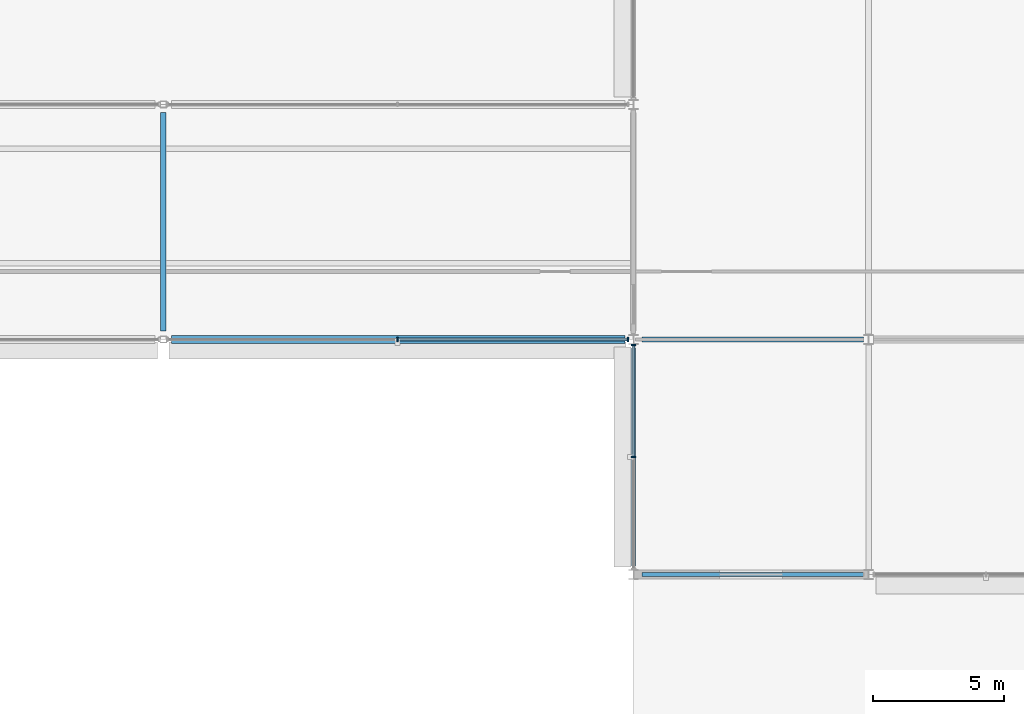
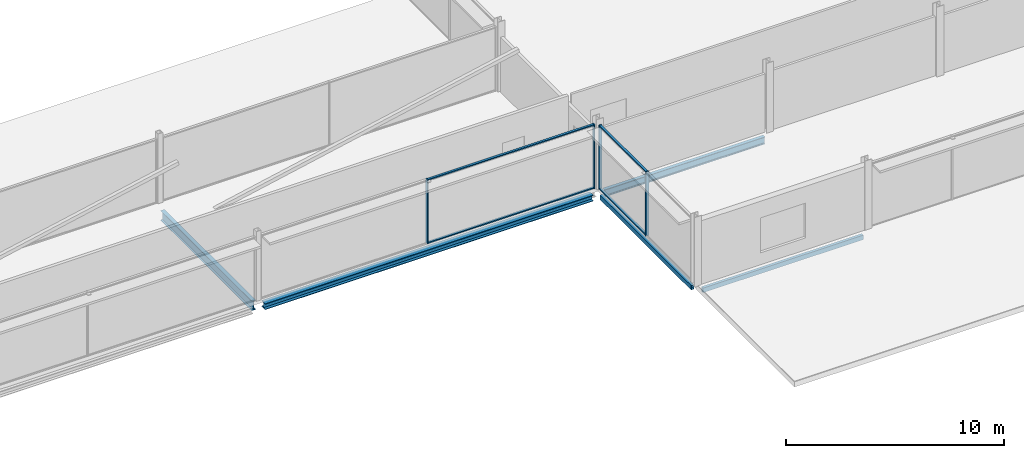
# One storey, part 43 of 105: 8 members, 5 beams, 2 elements without a shape of their own.
"""IFC4 building model written with IfcOpenShell, lengths in metres."""

from ifc_helpers import new_model, si_unit, direction, frame, origin, origin_2d, place, context, subcontext, project, spatial, rectangle, hollow_rectangle, i_section, extrude, material, layer, layer_set, material_profile, profile_set, type_object, element, aggregate, save


model = new_model("IFC4")

# Units and contexts
model_context = context("Model", 3, precision=1e-05, world=origin(), true_north=direction((0.0, 1.0)))
body_context = subcontext(model_context, "Body", "Model", "MODEL_VIEW")
ifc_project = project(units=[si_unit("LENGTHUNIT", "METRE"), si_unit("AREAUNIT", "SQUARE_METRE"), si_unit("VOLUMEUNIT", "CUBIC_METRE"), si_unit("PLANEANGLEUNIT", "RADIAN"), si_unit("MASSUNIT", "GRAM", prefix="KILO")], contexts=[model_context])

# Site, building, storey
site_placement = place(None, origin())
site = spatial("IfcSite", under=ifc_project, at=site_placement, CompositionType="ELEMENT")
building_placement = place(site_placement, origin())
building = spatial("IfcBuilding", under=site, at=building_placement, Name="Kisiwana Market Hall", CompositionType="ELEMENT")
storey_placement = place(building_placement, frame((0.0, 0.0, 21.60009765625)))
storey = spatial("IfcBuildingStorey", under=building, at=storey_placement, Name="L04", CompositionType="ELEMENT", Elevation=21.60009765625)

# Beams
ifc_material_1 = material(Name="Steel S355", Category="steel")
ifc_material_profile_1 = material_profile(ifc_material_1, i_section(OverallWidth=0.179931640625, OverallDepth=0.39990234375, WebThickness=0.008544921875, FlangeThickness=0.013427734375, FilletRadius=0.02099609375, at=origin_2d()), Name="IPE 400")
ifc_profile_set_1 = profile_set([ifc_material_profile_1], Name="Steel S355")
beam_type_1 = type_object("IfcBeamType", Name="BM-GIRD-IPE400", PredefinedType="BEAM", material=ifc_profile_set_1)
beam_1_placement = place(storey_placement, frame((153.321044921875, 18.0, -0.445068359375), z_axis=(1.0, 0.0, 0.0), x_axis=(0.0, 1.0, 0.0)))
element("IfcBeam", 1, at=beam_1_placement, inside=storey, type_object=beam_type_1, Name="Floor beam B-1433", PredefinedType="BEAM", context=body_context, shape_type="SweptSolid", body=[
    extrude(i_section(OverallWidth=0.179931640625, OverallDepth=0.39990234375, WebThickness=0.008544921875, FlangeThickness=0.013427734375, FilletRadius=0.02099609375, at=origin_2d()), origin(), (0.0, 0.0, 1.0), 8.47998046875),
])
ifc_material_2 = material(Name="Steel S355", Category="steel")
ifc_material_profile_2 = material_profile(ifc_material_2, i_section(OverallWidth=0.209228515625, OverallDepth=0.533203125, WebThickness=0.010009765625, FlangeThickness=0.015625, at=origin_2d()), Name="UB 533x210x92")
ifc_profile_set_2 = profile_set([ifc_material_profile_2], Name="Steel S355")
beam_type_2 = type_object("IfcBeamType", Name="BM-GIRD-UB533", PredefinedType="BEAM", material=ifc_profile_set_2)
beam_2_placement = place(storey_placement, frame((135.0, 18.321044921875, -0.53173828125), z_axis=(0.0, 1.0, 0.0), x_axis=(-1.0, 0.0, 0.0)))
element("IfcBeam", 2, at=beam_2_placement, inside=storey, type_object=beam_type_2, Name="Primary girder B-1367", PredefinedType="BEAM", context=body_context, shape_type="SweptSolid", body=[
    extrude(i_section(OverallWidth=0.209228515625, OverallDepth=0.533203125, WebThickness=0.010009765625, FlangeThickness=0.015625, at=origin_2d()), origin(), (0.0, 0.0, 1.0), 8.35791015625),
])
ifc_material_3 = material(Name="Steel S355", Category="steel")
ifc_material_profile_3 = material_profile(ifc_material_3, i_section(OverallWidth=0.314453125, OverallDepth=0.33984375, WebThickness=0.01904296875, FlangeThickness=0.031494140625, at=origin_2d()), Name="UC 305x305x198")
ifc_profile_set_3 = profile_set([ifc_material_profile_3], Name="Steel S355")
beam_type_3 = type_object("IfcBeamType", Name="BM-SKYBR-CHORD", PredefinedType="BEAM", material=ifc_profile_set_3)
beam_3_placement = place(storey_placement, frame((135.321044921875, 18.0, -0.43505859375), z_axis=(1.0, 0.0, 0.0), x_axis=(0.0, 1.0, 0.0)))
element("IfcBeam", 3, at=beam_3_placement, inside=storey, type_object=beam_type_3, Name="Floor beam B-1432", PredefinedType="BEAM", context=body_context, shape_type="SweptSolid", body=[
    extrude(i_section(OverallWidth=0.314453125, OverallDepth=0.33984375, WebThickness=0.01904296875, FlangeThickness=0.031494140625, at=origin_2d()), origin(), (0.0, 0.0, 1.0), 17.35791015625),
])
ifc_material_4 = material(Name="Steel S355", Category="steel")
ifc_material_profile_4 = material_profile(ifc_material_4, hollow_rectangle(XDim=0.14990234375, YDim=0.25, WallThickness=0.010009765625, at=origin_2d()), Name="RHS 250x150x10.0")
ifc_profile_set_4 = profile_set([ifc_material_profile_4], Name="Steel S355")
beam_type_4 = type_object("IfcBeamType", Name="BM-SPAN-RHS250", PredefinedType="SPANDREL", material=ifc_profile_set_4)
beam_4_placement = place(storey_placement, frame((153.321044921875, 9.0, -0.4169921875), z_axis=(1.0, 0.0, 0.0), x_axis=(0.0, 1.0, 0.0)))
element("IfcBeam", 4, at=beam_4_placement, inside=storey, type_object=beam_type_4, Name="Floor beam B-1419", PredefinedType="SPANDREL", context=body_context, shape_type="SweptSolid", body=[
    extrude(hollow_rectangle(XDim=0.14990234375, YDim=0.25, WallThickness=0.010009765625, at=origin_2d()), origin(), (0.0, 0.0, 1.0), 8.4833984375),
])
beam_5_placement = place(storey_placement, frame((153.0, 9.321044921875, -0.3701171875), z_axis=(0.0, 1.0, 0.0), x_axis=(-1.0, 0.0, 0.0)))
element("IfcBeam", 5, at=beam_5_placement, inside=storey, type_object=beam_type_4, Name="Floor beam B-1503", PredefinedType="SPANDREL", context=body_context, shape_type="SweptSolid", body=[
    extrude(hollow_rectangle(XDim=0.14990234375, YDim=0.25, WallThickness=0.010009765625, at=origin_2d()), origin(), (0.0, 0.0, 1.0), 8.35791015625),
])

# Curtain wall, members
ifc_material_5 = material(Name="Double-glazed solar-control low-E IGU", Category="glass")
ifc_layer = layer(ifc_material_5, 0.159912109375)
ifc_layer_set = layer_set([ifc_layer], Name="CW-ZNA-EW-8200")
curtain_wall_type = type_object("IfcCurtainWallType", Name="CW-ZNA-EW-8200", PredefinedType="USERDEFINED", material=ifc_layer_set)
curtain_wall_1_placement = place(storey_placement, origin())
curtain_wall_1 = element("IfcCurtainWall", 6, at=curtain_wall_1_placement, inside=storey, type_object=curtain_wall_type, Name="Unitised curtain wall CW-097 (L04)", ObjectType="UNITISED CURTAIN WALL", PredefinedType="USERDEFINED")
ifc_material_6 = material(Name="Aluminium alloy 6063-T6", Category="aluminium")
ifc_material_profile_5 = material_profile(ifc_material_6, rectangle(XDim=0.06005859375, YDim=0.159912109375, at=origin_2d()), Name="ALU MULLION 60x160")
ifc_profile_set_5 = profile_set([ifc_material_profile_5], Name="Aluminium alloy 6063-T6")
member_type_1 = type_object("IfcMemberType", Name="CW-MULL-60x160", PredefinedType="MULLION", material=ifc_profile_set_5)
member_1_placement = place(storey_placement, frame((143.96923828125, 18.0, 0.0), z_axis=(0.0, 0.0, 1.0), x_axis=(1.0, 0.0, 0.0)))
member_1 = element("IfcMember", 7, at=member_1_placement, type_object=member_type_1, Name="CW-097 mullion 2", PredefinedType="MULLION", context=body_context, shape_type="SweptSolid", body=[
    extrude(rectangle(XDim=0.06005859375, YDim=0.159912109375, at=origin_2d()), origin(), (0.0, 0.0, 1.0), 3.5849609375),
])
member_2_placement = place(storey_placement, frame((152.78369140625, 18.0, 0.0), z_axis=(0.0, 0.0, 1.0), x_axis=(1.0, 0.0, 0.0)))
member_2 = element("IfcMember", 8, at=member_2_placement, type_object=member_type_1, Name="CW-097 mullion 3", PredefinedType="MULLION", context=body_context, shape_type="SweptSolid", body=[
    extrude(rectangle(XDim=0.06005859375, YDim=0.159912109375, at=origin_2d()), origin(), (0.0, 0.0, 1.0), 3.5849609375),
])

curtain_wall_2_placement = place(storey_placement, origin())
curtain_wall_2 = element("IfcCurtainWall", 9, at=curtain_wall_2_placement, inside=storey, type_object=curtain_wall_type, Name="Unitised curtain wall CW-124 (L04)", ObjectType="UNITISED CURTAIN WALL", PredefinedType="USERDEFINED")
member_3_placement = place(storey_placement, frame((153.0, 13.5, 0.0), z_axis=(0.0, 0.0, 1.0), x_axis=(0.0, 1.0, 0.0)))
member_3 = element("IfcMember", 10, at=member_3_placement, type_object=member_type_1, Name="CW-124 mullion 2", PredefinedType="MULLION", context=body_context, shape_type="SweptSolid", body=[
    extrude(rectangle(XDim=0.06005859375, YDim=0.159912109375, at=origin_2d()), origin(), (0.0, 0.0, 1.0), 3.5849609375),
])
member_4_placement = place(storey_placement, frame((153.0, 17.785888671875, 0.0), z_axis=(0.0, 0.0, 1.0), x_axis=(0.0, 1.0, 0.0)))
member_4 = element("IfcMember", 11, at=member_4_placement, type_object=member_type_1, Name="CW-124 mullion 3", PredefinedType="MULLION", context=body_context, shape_type="SweptSolid", body=[
    extrude(rectangle(XDim=0.06005859375, YDim=0.159912109375, at=origin_2d()), origin(), (0.0, 0.0, 1.0), 3.5849609375),
])

# Member
ifc_material_7 = material(Name="Aluminium alloy 6063-T6", Category="aluminium")
ifc_material_profile_6 = material_profile(ifc_material_7, rectangle(XDim=0.1201171875, YDim=0.06005859375, at=origin_2d()), Name="ALU TRANSOM 60x120")
ifc_profile_set_6 = profile_set([ifc_material_profile_6], Name="Aluminium alloy 6063-T6")
member_type_2 = type_object("IfcMemberType", Name="CW-TRAN-60x120", PredefinedType="USERDEFINED", material=ifc_profile_set_6)
member_5_placement = place(storey_placement, frame((143.999267578125, 18.0, 0.02978515625), z_axis=(1.0, 0.0, 0.0), x_axis=(0.0, 1.0, 0.0)))
member_5 = element("IfcMember", 12, at=member_5_placement, type_object=member_type_2, Name="CW-097 transom 2.1", ObjectType="TRANSOM", PredefinedType="USERDEFINED", context=body_context, shape_type="SweptSolid", body=[
    extrude(rectangle(XDim=0.1201171875, YDim=0.06005859375, at=origin_2d()), origin(), (0.0, 0.0, 1.0), 8.75439453125),
])

member_6_placement = place(storey_placement, frame((143.999267578125, 18.0, 3.554931640625), z_axis=(1.0, 0.0, 0.0), x_axis=(0.0, 1.0, 0.0)))
member_6 = element("IfcMember", 13, at=member_6_placement, type_object=member_type_2, Name="CW-097 transom 2.2", ObjectType="TRANSOM", PredefinedType="USERDEFINED", context=body_context, shape_type="SweptSolid", body=[
    extrude(rectangle(XDim=0.1201171875, YDim=0.06005859375, at=origin_2d()), origin(), (0.0, 0.0, 1.0), 8.75439453125),
])

aggregate(curtain_wall_1, [member_1, member_2, member_5, member_6])

member_7_placement = place(storey_placement, frame((153.0, 13.530029296875, 0.02978515625), z_axis=(0.0, 1.0, 0.0), x_axis=(-1.0, 0.0, 0.0)))
member_7 = element("IfcMember", 14, at=member_7_placement, type_object=member_type_2, Name="CW-124 transom 2.1", ObjectType="TRANSOM", PredefinedType="USERDEFINED", context=body_context, shape_type="SweptSolid", body=[
    extrude(rectangle(XDim=0.1201171875, YDim=0.06005859375, at=origin_2d()), origin(), (0.0, 0.0, 1.0), 4.225830078125),
])

member_8_placement = place(storey_placement, frame((153.0, 13.530029296875, 3.554931640625), z_axis=(0.0, 1.0, 0.0), x_axis=(-1.0, 0.0, 0.0)))
member_8 = element("IfcMember", 15, at=member_8_placement, type_object=member_type_2, Name="CW-124 transom 2.2", ObjectType="TRANSOM", PredefinedType="USERDEFINED", context=body_context, shape_type="SweptSolid", body=[
    extrude(rectangle(XDim=0.1201171875, YDim=0.06005859375, at=origin_2d()), origin(), (0.0, 0.0, 1.0), 4.225830078125),
])

aggregate(curtain_wall_2, [member_3, member_4, member_7, member_8])

save(model, "model.ifc")
